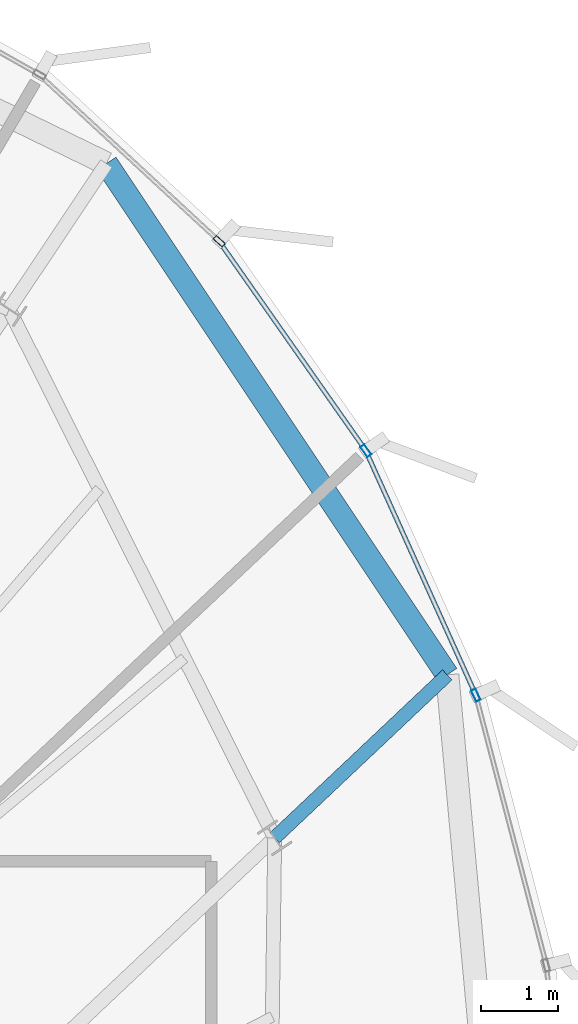
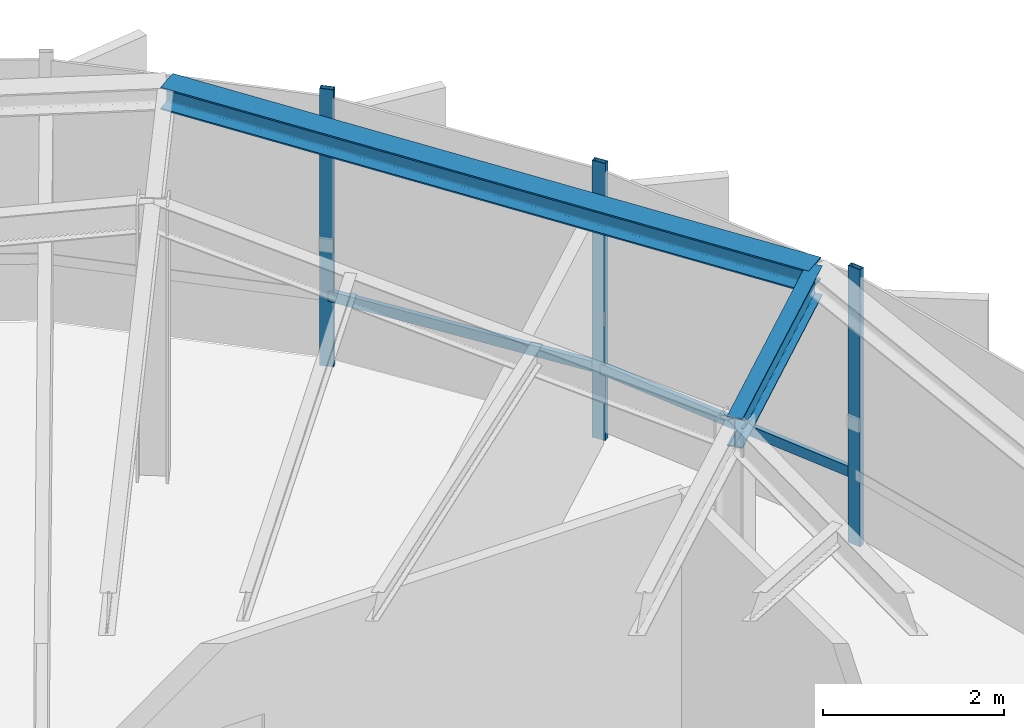
# One storey, part 18 of 25: 5 members, 2 beams, 1 element without a shape of its own.
"""IFC4 building model written with IfcOpenShell, lengths in metres."""

from ifc_helpers import new_model, si_unit, direction, frame, origin, origin_2d, place, context, subcontext, project, spatial, hollow_rectangle, i_section, extrude, source, transform, mapped, material, layer, layer_set, material_profile, profile_set, type_object, element, aggregate, save


model = new_model("IFC4")

# Units and contexts
model_context = context("Model", 3, precision=1e-05, world=origin(), true_north=direction((0.0, 1.0)))
body_context = subcontext(model_context, "Body", "Model", "MODEL_VIEW")
ifc_project = project(units=[si_unit("LENGTHUNIT", "METRE"), si_unit("AREAUNIT", "SQUARE_METRE"), si_unit("VOLUMEUNIT", "CUBIC_METRE"), si_unit("PLANEANGLEUNIT", "RADIAN"), si_unit("MASSUNIT", "GRAM", prefix="KILO"), si_unit("THERMODYNAMICTEMPERATUREUNIT", "KELVIN")], contexts=[model_context])

# Site, building, storey
site_placement = place(None, origin())
site = spatial("IfcSite", under=ifc_project, at=site_placement, CompositionType="ELEMENT")
building_placement = place(site_placement, origin())
building = spatial("IfcBuilding", under=site, at=building_placement, Name="Kethvar Cultural Tower", CompositionType="ELEMENT")
storey_placement = place(building_placement, frame((0.0, 0.0, 304.300048828125)))
storey = spatial("IfcBuildingStorey", under=building, at=storey_placement, Name="L81", CompositionType="ELEMENT", Elevation=304.300048828125)

# Beams
ifc_material_1 = material(Name="Steel S355J2", Category="steel")
ifc_material_profile_1 = material_profile(ifc_material_1, i_section(OverallWidth=0.179931640625, OverallDepth=0.39990234375, WebThickness=0.008544921875, FlangeThickness=0.013427734375, FilletRadius=0.02099609375, at=origin_2d()), Name="Steel S355J2 — IPE400")
ifc_profile_set_1 = profile_set([ifc_material_profile_1], Name="Steel S355J2 — IPE400")
beam_type_1 = type_object("IfcBeamType", Name="BM-IPE400", PredefinedType="BEAM", material=ifc_profile_set_1)
shared_shape_1 = source(origin(), body_context, "Body", "SweptSolid", [
    extrude(i_section(OverallWidth=0.179931640625, OverallDepth=0.39990234375, WebThickness=0.008544921875, FlangeThickness=0.013427734375, FilletRadius=0.02099609375, at=origin_2d()), origin(), (0.0, 0.0, 1.0), 3.083740234375),
])
beam_1_placement = place(storey_placement, frame((61.32568359375, 37.505859375, 3.532958984375), z_axis=(0.727160236387, 0.686467763714, 0.0), x_axis=(-0.686467763714, 0.727160236387, 0.0)))
element("IfcBeam", 1, at=beam_1_placement, inside=storey, type_object=beam_type_1, Name="L81 Perimeter Cantilever Beam RC-02", PredefinedType="BEAM", context=body_context, shape_type="MappedRepresentation", body=[
    mapped(shared_shape_1, transform((0.0, 0.0, 0.0), scale=1.0)),
])
ifc_material_profile_2 = material_profile(ifc_material_1, i_section(OverallWidth=0.300048828125, OverallDepth=0.300048828125, WebThickness=0.010986328125, FlangeThickness=0.01904296875, FilletRadius=0.027099609375, at=origin_2d()), Name="Steel S355J2 — HEB300")
ifc_profile_set_2 = profile_set([ifc_material_profile_2], Name="Steel S355J2 — HEB300")
beam_type_2 = type_object("IfcBeamType", Name="BM-SP300", PredefinedType="SPANDREL", material=ifc_profile_set_2)
shared_shape_2 = source(origin(), body_context, "Body", "SweptSolid", [
    extrude(i_section(OverallWidth=0.300048828125, OverallDepth=0.300048828125, WebThickness=0.010986328125, FlangeThickness=0.01904296875, FilletRadius=0.027099609375, at=origin_2d()), origin(), (0.0, 0.0, 1.0), 7.98486328125),
])
beam_2_placement = place(storey_placement, frame((63.568115234375, 39.622802734375, 3.5830078125), z_axis=(-0.554664916636, 0.832073812984, 0.0), x_axis=(-0.832073812984, -0.554664916636, 0.0)))
element("IfcBeam", 2, at=beam_2_placement, inside=storey, type_object=beam_type_2, Name="L81 Perimeter Spandrel Beam SP-02", PredefinedType="SPANDREL", context=body_context, shape_type="MappedRepresentation", body=[
    mapped(shared_shape_2, transform((0.0, 0.0, 0.0), scale=1.0)),
])

# Curtain wall, members
ifc_material_2 = material(Name="Aluminium 6063-T6", Category="aluminium")
ifc_layer = layer(ifc_material_2, 0.179931640625, Name="Aluminium 6063-T6", Category="aluminium")
ifc_layer_set = layer_set([ifc_layer], Name="Aluminium 6063-T6 (180 mm)")
curtain_wall_type = type_object("IfcCurtainWallType", Name="CW-SYS-06-CROWN", PredefinedType="NOTDEFINED", material=ifc_layer_set)
curtain_wall_placement = place(storey_placement, origin())
curtain_wall = element("IfcCurtainWall", 3, at=curtain_wall_placement, inside=storey, type_object=curtain_wall_type, Name="L81 Curtain Wall Run 06", PredefinedType="NOTDEFINED")
ifc_material_profile_3 = material_profile(ifc_material_2, hollow_rectangle(XDim=0.06494140625, YDim=0.159912109375, WallThickness=0.0048828125, at=origin_2d()), Name="Aluminium 6063-T6 — RHS160x65x5")
ifc_profile_set_3 = profile_set([ifc_material_profile_3], Name="Aluminium 6063-T6 — RHS160x65x5")
member_type_1 = type_object("IfcMemberType", Name="CW-SYS-06-CROWN-MUL", PredefinedType="MULLION", material=ifc_profile_set_3)
shared_shape_3 = source(origin(), body_context, "Body", "SweptSolid", [
    extrude(hollow_rectangle(XDim=0.06494140625, YDim=0.159912109375, WallThickness=0.0048828125, at=origin_2d()), origin(), (0.0, 0.0, 1.0), 3.73486328125),
])
member_1_placement = place(storey_placement, frame((63.93994140625, 39.359130859375, 0.0), z_axis=(0.0, 0.0, 1.0), x_axis=(-0.911776379814, -0.410687025864, 0.0)))
member_1 = element("IfcMember", 4, at=member_1_placement, type_object=member_type_1, Name="CW-L81-R06 Mullion 3", PredefinedType="MULLION", context=body_context, shape_type="MappedRepresentation", body=[
    mapped(shared_shape_3, transform((0.0, 0.0, 0.0), scale=1.0)),
])
member_2_placement = place(storey_placement, frame((62.511474609375, 42.535888671875, 0.0), z_axis=(0.0, 0.0, 1.0), x_axis=(-0.818691283661, -0.574233908837, 0.0)))
member_2 = element("IfcMember", 5, at=member_2_placement, type_object=member_type_1, Name="CW-L81-R06 Mullion 4", PredefinedType="MULLION", context=body_context, shape_type="MappedRepresentation", body=[
    mapped(shared_shape_3, transform((0.0, 0.0, 0.0), scale=1.0)),
])
member_3_placement = place(storey_placement, frame((60.605712890625, 45.25732421875, 0.0), z_axis=(0.0, 0.0, 1.0), x_axis=(-0.679044218771, -0.734097370213, 0.0)))
member_3 = element("IfcMember", 6, at=member_3_placement, type_object=member_type_1, Name="CW-L81-R06 Mullion 5", PredefinedType="MULLION", context=body_context, shape_type="MappedRepresentation", body=[
    mapped(shared_shape_3, transform((0.0, 0.0, 0.0), scale=1.0)),
])
ifc_material_profile_4 = material_profile(ifc_material_2, hollow_rectangle(XDim=0.06005859375, YDim=0.139892578125, WallThickness=0.0048828125, at=origin_2d()), Name="Aluminium 6063-T6 — RHS140x60x5")
ifc_profile_set_4 = profile_set([ifc_material_profile_4], Name="Aluminium 6063-T6 — RHS140x60x5")
member_type_2 = type_object("IfcMemberType", Name="CW-SYS-06-CROWN-TRN", PredefinedType="USERDEFINED", material=ifc_profile_set_4)
shared_shape_4 = source(origin(), body_context, "Body", "SweptSolid", [
    extrude(hollow_rectangle(XDim=0.06005859375, YDim=0.139892578125, WallThickness=0.0048828125, at=origin_2d()), origin(), (0.0, 0.0, 1.0), 3.254150390625),
])
member_4_placement = place(storey_placement, frame((62.484619140625, 42.57421875, 0.949951171875), z_axis=(-0.574247585929, 0.818681690313, 0.0), x_axis=(-0.818681690313, -0.574247585929, 0.0)))
member_4 = element("IfcMember", 7, at=member_4_placement, type_object=member_type_2, Name="CW-L81-R06 Transom 4", ObjectType="TRANSOM", PredefinedType="USERDEFINED", context=body_context, shape_type="MappedRepresentation", body=[
    mapped(shared_shape_4, transform((0.0, 0.0, 0.0), scale=1.0)),
])
shared_shape_5 = source(origin(), body_context, "Body", "SweptSolid", [
    extrude(hollow_rectangle(XDim=0.06005859375, YDim=0.139892578125, WallThickness=0.0048828125, at=origin_2d()), origin(), (0.0, 0.0, 1.0), 3.411865234375),
])
member_5_placement = place(storey_placement, frame((63.9208984375, 39.40185546875, 0.949951171875), z_axis=(-0.410727628229, 0.9117580904, 0.0), x_axis=(-0.9117580904, -0.410727628229, 0.0)))
member_5 = element("IfcMember", 8, at=member_5_placement, type_object=member_type_2, Name="CW-L81-R06 Transom 3", ObjectType="TRANSOM", PredefinedType="USERDEFINED", context=body_context, shape_type="MappedRepresentation", body=[
    mapped(shared_shape_5, transform((0.0, 0.0, 0.0), scale=1.0)),
])
aggregate(curtain_wall, [member_1, member_2, member_3, member_5, member_4])

save(model, "model.ifc")
